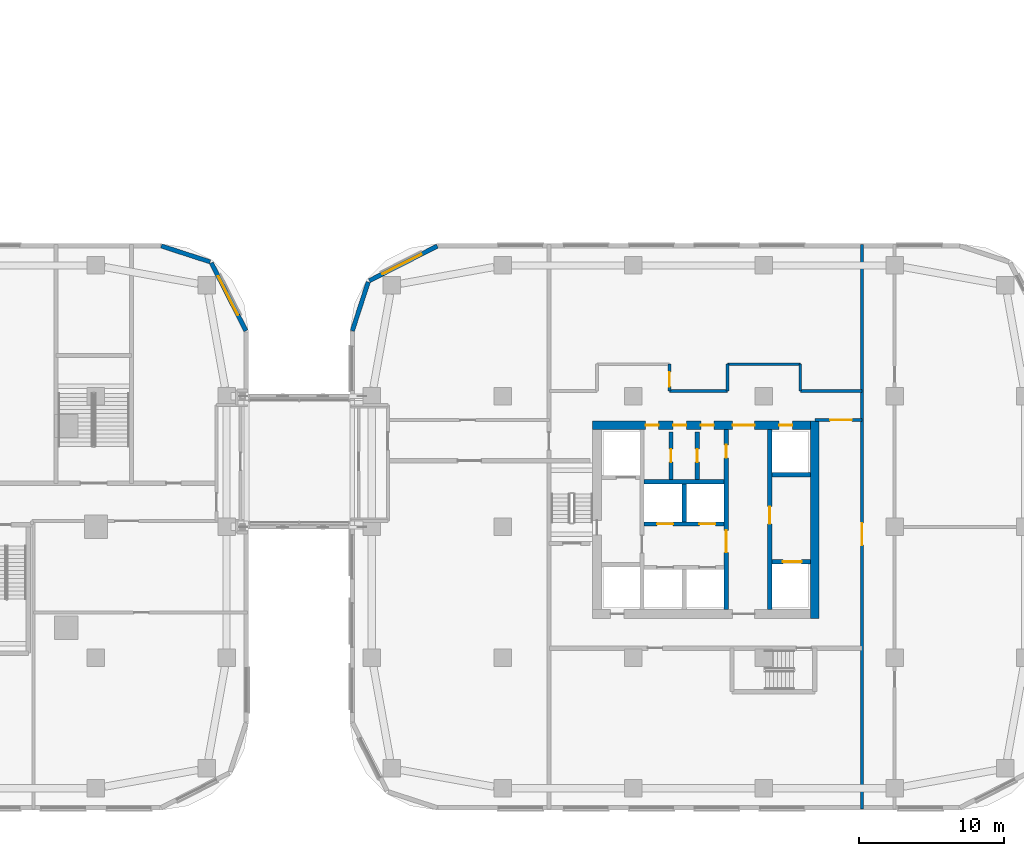
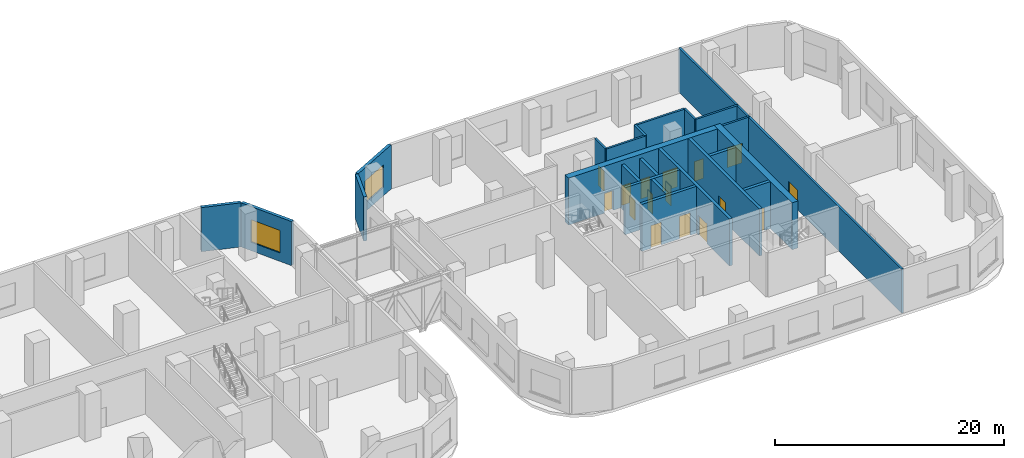
# One storey, part 13 of 35: 23 walls, 16 doors, 2 windows, 18 openings.
"""IFC4 building model written with IfcOpenShell, lengths in metres."""

from ifc_helpers import new_model, si_unit, direction, frame, frame_2d, origin, place, context, subcontext, project, spatial, rectangle, extrude, material, layer, layer_set, type_object, element, fill, save


model = new_model("IFC4")

# Units and contexts
model_context = context("Model", 3, precision=1e-05, world=origin(), true_north=direction((0.0, 1.0)))
body_context = subcontext(model_context, "Body", "Model", "MODEL_VIEW")
ifc_project = project(units=[si_unit("LENGTHUNIT", "METRE"), si_unit("AREAUNIT", "SQUARE_METRE"), si_unit("VOLUMEUNIT", "CUBIC_METRE"), si_unit("PLANEANGLEUNIT", "RADIAN"), si_unit("MASSUNIT", "GRAM", prefix="KILO")], contexts=[model_context])

# Site, building, storey
site_placement = place(None, origin())
site = spatial("IfcSite", under=ifc_project, at=site_placement, CompositionType="ELEMENT")
building_placement = place(site_placement, origin())
building = spatial("IfcBuilding", under=site, at=building_placement, Name="Ogive Portal Towers", CompositionType="ELEMENT")
storey_placement = place(building_placement, frame((0.0, 0.0, 23.5)))
storey = spatial("IfcBuildingStorey", under=building, at=storey_placement, Name="L04", CompositionType="ELEMENT", Elevation=23.5)

# Wall, openings, doors
ifc_material_1 = material(Name="Concrete C60/75", Category="concrete")
ifc_layer_1 = layer(ifc_material_1, 0.300048828125)
ifc_layer_set_1 = layer_set([ifc_layer_1], Name="CORE WALL 300 C60")
wall_type_1 = type_object("IfcWallType", Name="CORE WALL 300 C60", PredefinedType="SHEAR", material=ifc_layer_set_1)
wall_1_placement = place(storey_placement, frame((137.89990234375, 24.800048828125, 0.0), z_axis=(0.0, 0.0, 1.0), x_axis=(0.0, 1.0, 0.0)))
wall_1 = element("IfcWall", 1, at=wall_1_placement, inside=storey, type_object=wall_type_1, Name="Tower B core wall BX2 L04", PredefinedType="SHEAR", context=body_context, shape_type="SweptSolid", body=[
    extrude(rectangle(XDim=12.39990234375, YDim=0.300048828125, at=frame_2d((6.199951171875, 0.0))), origin(), (0.0, 0.0, 1.0), 5.0),
])
opening_1_placement = place(wall_1_placement, frame((3.949951171875, 0.0, 0.0)))
opening_1 = element("IfcOpeningElement", 2, at=opening_1_placement, cuts=wall_1, Name="Opening P04-049", PredefinedType="OPENING", context=body_context, shape_type="SweptSolid", body=[
    extrude(rectangle(XDim=1.5, YDim=2.10009765625, at=frame_2d((0.75, 1.050048828125))), frame((0.0, 0.16015625, 0.0), z_axis=(0.0, -1.0, 0.0), x_axis=(1.0, 0.0, 0.0)), (0.0, 0.0, 1.0), 0.320068359375),
])
opening_2_placement = place(wall_1_placement, frame((10.449951171875, 0.0, 0.0)))
opening_2 = element("IfcOpeningElement", 3, at=opening_2_placement, cuts=wall_1, Name="Opening P04-066", PredefinedType="OPENING", context=body_context, shape_type="SweptSolid", body=[
    extrude(rectangle(XDim=0.89990234375, YDim=2.10009765625, at=frame_2d((0.449951171875, 1.050048828125))), frame((0.0, 0.16015625, 0.0), z_axis=(0.0, -1.0, 0.0), x_axis=(1.0, 0.0, 0.0)), (0.0, 0.0, 1.0), 0.320068359375),
])
ifc_material_2 = material(Name="Steel fire door", Category="steel")
door_type_1 = type_object("IfcDoorType", Name="DT-SWING-1500x2100-FD90S", OperationType="SINGLE_SWING_LEFT", PredefinedType="DOOR", material=ifc_material_2)
door_1_placement = place(opening_1_placement, origin())
door_1 = element("IfcDoor", 4, at=door_1_placement, inside=storey, type_object=door_type_1, Name="Door P04-049", OperationType="SINGLE_SWING_RIGHT", OverallHeight=2.10009765625, OverallWidth=1.5, PredefinedType="DOOR", context=body_context, shape_type="SweptSolid", body=[
    extrude(rectangle(XDim=1.5, YDim=2.10009765625, at=frame_2d((0.75, 1.050048828125))), frame((0.0, 0.02490234375, 0.0), z_axis=(0.0, -1.0, 0.0), x_axis=(1.0, 0.0, 0.0)), (0.0, 0.0, 1.0), 0.050048828125),
])
fill(opening_1, door_1)
door_type_2 = type_object("IfcDoorType", Name="DT-SWING-900x2100-FD90S", OperationType="SINGLE_SWING_LEFT", PredefinedType="DOOR", material=ifc_material_2)
door_2_placement = place(opening_2_placement, origin())
door_2 = element("IfcDoor", 5, at=door_2_placement, inside=storey, type_object=door_type_2, Name="Door P04-066", OperationType="SINGLE_SWING_RIGHT", OverallHeight=2.10009765625, OverallWidth=0.89990234375, PredefinedType="DOOR", context=body_context, shape_type="SweptSolid", body=[
    extrude(rectangle(XDim=0.89990234375, YDim=2.10009765625, at=frame_2d((0.449951171875, 1.050048828125))), frame((0.0, 0.02490234375, 0.0), z_axis=(0.0, -1.0, 0.0), x_axis=(1.0, 0.0, 0.0)), (0.0, 0.0, 1.0), 0.050048828125),
])
fill(opening_2, door_2)

# Wall, opening, door
wall_2_placement = place(storey_placement, frame((140.89990234375, 24.800048828125, 0.0), z_axis=(0.0, 0.0, 1.0), x_axis=(0.0, 1.0, 0.0)))
wall_2 = element("IfcWall", 6, at=wall_2_placement, inside=storey, type_object=wall_type_1, Name="Tower B core wall BX3 L04", PredefinedType="SHEAR", context=body_context, shape_type="SweptSolid", body=[
    extrude(rectangle(XDim=12.39990234375, YDim=0.300048828125, at=frame_2d((6.199951171875, 0.0))), origin(), (0.0, 0.0, 1.0), 5.0),
])
opening_3_placement = place(wall_2_placement, frame((5.89990234375, 0.0, 0.0)))
opening_3 = element("IfcOpeningElement", 7, at=opening_3_placement, cuts=wall_2, Name="Opening P04-051", PredefinedType="OPENING", context=body_context, shape_type="SweptSolid", body=[
    extrude(rectangle(XDim=1.199951171875, YDim=2.10009765625, at=frame_2d((0.60009765625, 1.050048828125))), frame((0.0, 0.16015625, 0.0), z_axis=(0.0, -1.0, 0.0), x_axis=(1.0, 0.0, 0.0)), (0.0, 0.0, 1.0), 0.320068359375),
])
door_type_3 = type_object("IfcDoorType", Name="DT-SWING-1200x2100-FD90S", OperationType="SINGLE_SWING_LEFT", PredefinedType="DOOR", material=ifc_material_2)
door_3_placement = place(opening_3_placement, origin())
door_3 = element("IfcDoor", 8, at=door_3_placement, inside=storey, type_object=door_type_3, Name="Door P04-051", OperationType="SINGLE_SWING_RIGHT", OverallHeight=2.10009765625, OverallWidth=1.199951171875, PredefinedType="DOOR", context=body_context, shape_type="SweptSolid", body=[
    extrude(rectangle(XDim=1.199951171875, YDim=2.10009765625, at=frame_2d((0.60009765625, 1.050048828125))), frame((0.0, 0.02490234375, 0.0), z_axis=(0.0, -1.0, 0.0), x_axis=(1.0, 0.0, 0.0)), (0.0, 0.0, 1.0), 0.050048828125),
])
fill(opening_3, door_3)

# Wall
wall_3_placement = place(storey_placement, frame((135.0, 30.85009765625, 0.0), z_axis=(0.0, 0.0, 1.0), x_axis=(0.0, 1.0, 0.0)))
element("IfcWall", 9, at=wall_3_placement, inside=storey, type_object=wall_type_1, Name="Tower B core wall BX5 L04", PredefinedType="SHEAR", context=body_context, shape_type="SweptSolid", body=[
    extrude(rectangle(XDim=2.599853515625, YDim=0.300048828125, at=frame_2d((1.2998046875, 0.0))), origin(), (0.0, 0.0, 1.0), 5.0),
])

# Wall, openings, doors
wall_4_placement = place(storey_placement, frame((132.25, 30.699951171875, 0.0), z_axis=(0.0, 0.0, 1.0), x_axis=(1.0, 0.0, 0.0)))
wall_4 = element("IfcWall", 10, at=wall_4_placement, inside=storey, type_object=wall_type_1, Name="Tower B core wall BY2 L04", PredefinedType="SHEAR", context=body_context, shape_type="SweptSolid", body=[
    extrude(rectangle(XDim=5.5, YDim=0.300048828125, at=frame_2d((2.75, 0.0))), origin(), (0.0, 0.0, 1.0), 5.0),
])
opening_4_placement = place(wall_4_placement, frame((0.89990234375, 0.0, 0.0)))
opening_4 = element("IfcOpeningElement", 11, at=opening_4_placement, cuts=wall_4, Name="Opening P04-059", PredefinedType="OPENING", context=body_context, shape_type="SweptSolid", body=[
    extrude(rectangle(XDim=1.10009765625, YDim=2.39990234375, at=frame_2d((0.550048828125, 1.199951171875))), frame((0.0, 0.16015625, 0.0), z_axis=(0.0, -1.0, 0.0), x_axis=(1.0, 0.0, 0.0)), (0.0, 0.0, 1.0), 0.320068359375),
])
opening_5_placement = place(wall_4_placement, frame((3.800048828125, 0.0, 0.0)))
opening_5 = element("IfcOpeningElement", 12, at=opening_5_placement, cuts=wall_4, Name="Opening P04-060", PredefinedType="OPENING", context=body_context, shape_type="SweptSolid", body=[
    extrude(rectangle(XDim=1.10009765625, YDim=2.39990234375, at=frame_2d((0.550048828125, 1.199951171875))), frame((0.0, 0.16015625, 0.0), z_axis=(0.0, -1.0, 0.0), x_axis=(1.0, 0.0, 0.0)), (0.0, 0.0, 1.0), 0.320068359375),
])
ifc_material_3 = material(Name="Stainless steel", Category="steel")
door_type_4 = type_object("IfcDoorType", Name="DT-LD-1100x2400", OperationType="SLIDING_TO_LEFT", PredefinedType="DOOR", material=ifc_material_3)
door_4_placement = place(opening_4_placement, origin())
door_4 = element("IfcDoor", 13, at=door_4_placement, inside=storey, type_object=door_type_4, Name="Door P04-059", OperationType="SLIDING_TO_LEFT", OverallHeight=2.39990234375, OverallWidth=1.10009765625, PredefinedType="DOOR", context=body_context, shape_type="SweptSolid", body=[
    extrude(rectangle(XDim=1.10009765625, YDim=2.39990234375, at=frame_2d((0.550048828125, 1.199951171875))), frame((0.0, 0.02490234375, 0.0), z_axis=(0.0, -1.0, 0.0), x_axis=(1.0, 0.0, 0.0)), (0.0, 0.0, 1.0), 0.050048828125),
])
fill(opening_4, door_4)
door_5_placement = place(opening_5_placement, origin())
door_5 = element("IfcDoor", 14, at=door_5_placement, inside=storey, type_object=door_type_4, Name="Door P04-060", OperationType="SLIDING_TO_LEFT", OverallHeight=2.39990234375, OverallWidth=1.10009765625, PredefinedType="DOOR", context=body_context, shape_type="SweptSolid", body=[
    extrude(rectangle(XDim=1.10009765625, YDim=2.39990234375, at=frame_2d((0.550048828125, 1.199951171875))), frame((0.0, 0.02490234375, 0.0), z_axis=(0.0, -1.0, 0.0), x_axis=(1.0, 0.0, 0.0)), (0.0, 0.0, 1.0), 0.050048828125),
])
fill(opening_5, door_5)

# Wall
wall_5_placement = place(storey_placement, frame((132.25, 33.60009765625, 0.0), z_axis=(0.0, 0.0, 1.0), x_axis=(1.0, 0.0, 0.0)))
element("IfcWall", 15, at=wall_5_placement, inside=storey, type_object=wall_type_1, Name="Tower B core wall BY3 L04", PredefinedType="SHEAR", context=body_context, shape_type="SweptSolid", body=[
    extrude(rectangle(XDim=5.5, YDim=0.300048828125, at=frame_2d((2.75, 0.0))), origin(), (0.0, 0.0, 1.0), 5.0),
])

# Wall, opening, door
wall_6_placement = place(storey_placement, frame((141.050048828125, 28.10009765625, 0.0), z_axis=(0.0, 0.0, 1.0), x_axis=(1.0, 0.0, 0.0)))
wall_6 = element("IfcWall", 16, at=wall_6_placement, inside=storey, type_object=wall_type_1, Name="Tower B core wall BY6 L04", PredefinedType="SHEAR", context=body_context, shape_type="SweptSolid", body=[
    extrude(rectangle(XDim=2.64990234375, YDim=0.300048828125, at=frame_2d((1.324951171875, 0.0))), origin(), (0.0, 0.0, 1.0), 5.0),
])
opening_6_placement = place(wall_6_placement, frame((0.75, 0.0, 0.0)))
opening_6 = element("IfcOpeningElement", 17, at=opening_6_placement, cuts=wall_6, Name="Opening P04-062", PredefinedType="OPENING", context=body_context, shape_type="SweptSolid", body=[
    extrude(rectangle(XDim=1.300048828125, YDim=2.39990234375, at=frame_2d((0.64990234375, 1.199951171875))), frame((0.0, 0.16015625, 0.0), z_axis=(0.0, -1.0, 0.0), x_axis=(1.0, 0.0, 0.0)), (0.0, 0.0, 1.0), 0.320068359375),
])
door_type_5 = type_object("IfcDoorType", Name="DT-LD-1300x2400", OperationType="SLIDING_TO_LEFT", PredefinedType="DOOR", material=ifc_material_3)
door_6_placement = place(opening_6_placement, origin())
door_6 = element("IfcDoor", 18, at=door_6_placement, inside=storey, type_object=door_type_5, Name="Door P04-062", OperationType="SLIDING_TO_LEFT", OverallHeight=2.39990234375, OverallWidth=1.300048828125, PredefinedType="DOOR", context=body_context, shape_type="SweptSolid", body=[
    extrude(rectangle(XDim=1.300048828125, YDim=2.39990234375, at=frame_2d((0.64990234375, 1.199951171875))), frame((0.0, 0.02490234375, 0.0), z_axis=(0.0, -1.0, 0.0), x_axis=(1.0, 0.0, 0.0)), (0.0, 0.0, 1.0), 0.050048828125),
])
fill(opening_6, door_6)

# Walls
wall_7_placement = place(storey_placement, frame((141.050048828125, 34.10009765625, 0.0), z_axis=(0.0, 0.0, 1.0), x_axis=(1.0, 0.0, 0.0)))
element("IfcWall", 19, at=wall_7_placement, inside=storey, type_object=wall_type_1, Name="Tower B core wall BY7 L04", PredefinedType="SHEAR", context=body_context, shape_type="SweptSolid", body=[
    extrude(rectangle(XDim=2.64990234375, YDim=0.300048828125, at=frame_2d((1.324951171875, 0.0))), origin(), (0.0, 0.0, 1.0), 5.0),
])
ifc_layer_2 = layer(ifc_material_1, 0.60009765625)
ifc_layer_set_2 = layer_set([ifc_layer_2], Name="CORE WALL 600 C60")
wall_type_2 = type_object("IfcWallType", Name="CORE WALL 600 C60", PredefinedType="SHEAR", material=ifc_layer_set_2)
wall_8_placement = place(storey_placement, frame((144.0, 24.199951171875, 0.0), z_axis=(0.0, 0.0, 1.0), x_axis=(0.0, 1.0, 0.0)))
element("IfcWall", 20, at=wall_8_placement, inside=storey, type_object=wall_type_2, Name="Tower B core wall BE L04", PredefinedType="SHEAR", context=body_context, shape_type="SweptSolid", body=[
    extrude(rectangle(XDim=13.60009765625, YDim=0.60009765625, at=frame_2d((6.800048828125, 0.0))), origin(), (0.0, 0.0, 1.0), 5.0),
])

# Wall, openings, doors
wall_9_placement = place(storey_placement, frame((128.699951171875, 37.5, 0.0), z_axis=(0.0, 0.0, 1.0), x_axis=(1.0, 0.0, 0.0)))
wall_9 = element("IfcWall", 21, at=wall_9_placement, inside=storey, type_object=wall_type_2, Name="Tower B core wall BN L04", PredefinedType="SHEAR", context=body_context, shape_type="SweptSolid", body=[
    extrude(rectangle(XDim=15.0, YDim=0.60009765625, at=frame_2d((7.5, 0.0))), origin(), (0.0, 0.0, 1.0), 5.0),
])
opening_7_placement = place(wall_9_placement, frame((9.64990234375, 0.0, 0.0)))
opening_7 = element("IfcOpeningElement", 22, at=opening_7_placement, cuts=wall_9, Name="Opening P04-054", PredefinedType="OPENING", context=body_context, shape_type="SweptSolid", body=[
    extrude(rectangle(XDim=1.5, YDim=2.10009765625, at=frame_2d((0.75, 1.050048828125))), frame((0.0, 0.31005859375, 0.0), z_axis=(0.0, -1.0, 0.0), x_axis=(1.0, 0.0, 0.0)), (0.0, 0.0, 1.0), 0.6201171875),
])
opening_8_placement = place(wall_9_placement, frame((12.85009765625, 0.0, 0.0)))
opening_8 = element("IfcOpeningElement", 23, at=opening_8_placement, cuts=wall_9, Name="Opening P04-056", PredefinedType="OPENING", context=body_context, shape_type="SweptSolid", body=[
    extrude(rectangle(XDim=0.89990234375, YDim=2.10009765625, at=frame_2d((0.449951171875, 1.050048828125))), frame((0.0, 0.31005859375, 0.0), z_axis=(0.0, -1.0, 0.0), x_axis=(1.0, 0.0, 0.0)), (0.0, 0.0, 1.0), 0.6201171875),
])
opening_9_placement = place(wall_9_placement, frame((3.64990234375, 0.0, 0.0)))
opening_9 = element("IfcOpeningElement", 24, at=opening_9_placement, cuts=wall_9, Name="Opening P04-063", PredefinedType="OPENING", context=body_context, shape_type="SweptSolid", body=[
    extrude(rectangle(XDim=0.89990234375, YDim=2.10009765625, at=frame_2d((0.449951171875, 1.050048828125))), frame((0.0, 0.31005859375, 0.0), z_axis=(0.0, -1.0, 0.0), x_axis=(1.0, 0.0, 0.0)), (0.0, 0.0, 1.0), 0.6201171875),
])
opening_10_placement = place(wall_9_placement, frame((5.550048828125, 0.0, 0.0)))
opening_10 = element("IfcOpeningElement", 25, at=opening_10_placement, cuts=wall_9, Name="Opening P04-064", PredefinedType="OPENING", context=body_context, shape_type="SweptSolid", body=[
    extrude(rectangle(XDim=0.89990234375, YDim=2.10009765625, at=frame_2d((0.449951171875, 1.050048828125))), frame((0.0, 0.31005859375, 0.0), z_axis=(0.0, -1.0, 0.0), x_axis=(1.0, 0.0, 0.0)), (0.0, 0.0, 1.0), 0.6201171875),
])
opening_11_placement = place(wall_9_placement, frame((7.449951171875, 0.0, 0.0)))
opening_11 = element("IfcOpeningElement", 26, at=opening_11_placement, cuts=wall_9, Name="Opening P04-065", PredefinedType="OPENING", context=body_context, shape_type="SweptSolid", body=[
    extrude(rectangle(XDim=0.89990234375, YDim=2.10009765625, at=frame_2d((0.449951171875, 1.050048828125))), frame((0.0, 0.31005859375, 0.0), z_axis=(0.0, -1.0, 0.0), x_axis=(1.0, 0.0, 0.0)), (0.0, 0.0, 1.0), 0.6201171875),
])
door_7_placement = place(opening_7_placement, origin())
door_7 = element("IfcDoor", 27, at=door_7_placement, inside=storey, type_object=door_type_1, Name="Door P04-054", OperationType="SINGLE_SWING_RIGHT", OverallHeight=2.10009765625, OverallWidth=1.5, PredefinedType="DOOR", context=body_context, shape_type="SweptSolid", body=[
    extrude(rectangle(XDim=1.5, YDim=2.10009765625, at=frame_2d((0.75, 1.050048828125))), frame((0.0, 0.02490234375, 0.0), z_axis=(0.0, -1.0, 0.0), x_axis=(1.0, 0.0, 0.0)), (0.0, 0.0, 1.0), 0.050048828125),
])
fill(opening_7, door_7)
door_8_placement = place(opening_8_placement, origin())
door_8 = element("IfcDoor", 28, at=door_8_placement, inside=storey, type_object=door_type_2, Name="Riser access door P04-056", OperationType="SINGLE_SWING_RIGHT", OverallHeight=2.10009765625, OverallWidth=0.89990234375, PredefinedType="DOOR", context=body_context, shape_type="SweptSolid", body=[
    extrude(rectangle(XDim=0.89990234375, YDim=2.10009765625, at=frame_2d((0.449951171875, 1.050048828125))), frame((0.0, 0.02490234375, 0.0), z_axis=(0.0, -1.0, 0.0), x_axis=(1.0, 0.0, 0.0)), (0.0, 0.0, 1.0), 0.050048828125),
])
fill(opening_8, door_8)
door_9_placement = place(opening_9_placement, origin())
door_9 = element("IfcDoor", 29, at=door_9_placement, inside=storey, type_object=door_type_2, Name="Door P04-063", OperationType="SINGLE_SWING_LEFT", OverallHeight=2.10009765625, OverallWidth=0.89990234375, PredefinedType="DOOR", context=body_context, shape_type="SweptSolid", body=[
    extrude(rectangle(XDim=0.89990234375, YDim=2.10009765625, at=frame_2d((0.449951171875, 1.050048828125))), frame((0.0, 0.02490234375, 0.0), z_axis=(0.0, -1.0, 0.0), x_axis=(1.0, 0.0, 0.0)), (0.0, 0.0, 1.0), 0.050048828125),
])
fill(opening_9, door_9)
door_10_placement = place(opening_10_placement, origin())
door_10 = element("IfcDoor", 30, at=door_10_placement, inside=storey, type_object=door_type_2, Name="Door P04-064", OperationType="SINGLE_SWING_RIGHT", OverallHeight=2.10009765625, OverallWidth=0.89990234375, PredefinedType="DOOR", context=body_context, shape_type="SweptSolid", body=[
    extrude(rectangle(XDim=0.89990234375, YDim=2.10009765625, at=frame_2d((0.449951171875, 1.050048828125))), frame((0.0, 0.02490234375, 0.0), z_axis=(0.0, -1.0, 0.0), x_axis=(1.0, 0.0, 0.0)), (0.0, 0.0, 1.0), 0.050048828125),
])
fill(opening_10, door_10)
door_11_placement = place(opening_11_placement, origin())
door_11 = element("IfcDoor", 31, at=door_11_placement, inside=storey, type_object=door_type_2, Name="Door P04-065", OperationType="SINGLE_SWING_LEFT", OverallHeight=2.10009765625, OverallWidth=0.89990234375, PredefinedType="DOOR", context=body_context, shape_type="SweptSolid", body=[
    extrude(rectangle(XDim=0.89990234375, YDim=2.10009765625, at=frame_2d((0.449951171875, 1.050048828125))), frame((0.0, 0.02490234375, 0.0), z_axis=(0.0, -1.0, 0.0), x_axis=(1.0, 0.0, 0.0)), (0.0, 0.0, 1.0), 0.050048828125),
])
fill(opening_11, door_11)

# Wall, opening, window
ifc_material_4 = material(Name="Limestone cladding on lightweight block wall", Category="masonry")
ifc_layer_3 = layer(ifc_material_4, 0.300048828125)
ifc_layer_set_3 = layer_set([ifc_layer_3], Name="EXTERNAL WALL 300 STONE")
wall_type_3 = type_object("IfcWallType", Name="EXTERNAL WALL 300 STONE", PredefinedType="SOLIDWALL", material=ifc_layer_set_3)
wall_10_placement = place(storey_placement, frame((104.833740234375, 43.99609375, 0.0), z_axis=(0.0, 0.0, 1.0), x_axis=(-0.454006562826, 0.890998339455, 0.0)))
wall_10 = element("IfcWall", 32, at=wall_10_placement, inside=storey, type_object=wall_type_3, Name="A:L04:f06:w0", PredefinedType="SOLIDWALL", context=body_context, shape_type="SweptSolid", body=[
    extrude(rectangle(XDim=5.251708984375, YDim=0.300048828125, at=frame_2d((2.6259765625, 0.0))), origin(), (0.0, 0.0, 1.0), 4.699951171875),
])
opening_12_placement = place(wall_10_placement, frame((1.223876953125, 0.0, 0.89990234375)))
opening_12 = element("IfcOpeningElement", 33, at=opening_12_placement, cuts=wall_10, Name="Opening WN3", PredefinedType="OPENING", context=body_context, shape_type="SweptSolid", body=[
    extrude(rectangle(XDim=3.0, YDim=2.39990234375, at=frame_2d((1.5, 1.199951171875))), frame((0.0, 0.16015625, 0.0), z_axis=(0.0, -1.0, 0.0), x_axis=(1.0, 0.0, 0.0)), (0.0, 0.0, 1.0), 0.320068359375),
])
ifc_material_5 = material(Name="Glass, clear low-iron insulated glazing", Category="glass")
window_type = type_object("IfcWindowType", Name="WINDOW PODIUM 3000x2400", PartitioningType="SINGLE_PANEL", PredefinedType="WINDOW", material=ifc_material_5)
window_1_placement = place(opening_12_placement, origin())
window_1 = element("IfcWindow", 34, at=window_1_placement, inside=storey, type_object=window_type, Name="A:L04:f06:w0:o0", OverallHeight=2.39990234375, OverallWidth=3.0, PartitioningType="SINGLE_PANEL", PredefinedType="WINDOW", context=body_context, shape_type="SweptSolid", body=[
    extrude(rectangle(XDim=3.0, YDim=2.39990234375, at=frame_2d((1.5, 1.199951171875))), frame((0.0, 0.030029296875, 0.0), z_axis=(0.0, -1.0, 0.0), x_axis=(1.0, 0.0, 0.0)), (0.0, 0.0, 1.0), 0.06005859375),
])
fill(opening_12, window_1)

# Wall
wall_11_placement = place(storey_placement, frame((102.362060546875, 48.749755859375, 0.0), z_axis=(0.0, 0.0, 1.0), x_axis=(-0.951038127287, 0.309073584194, 0.0)))
element("IfcWall", 35, at=wall_11_placement, inside=storey, type_object=wall_type_3, Name="A:L04:f07:w0", PredefinedType="SOLIDWALL", context=body_context, shape_type="SweptSolid", body=[
    extrude(rectangle(XDim=3.536376953125, YDim=0.300048828125, at=frame_2d((1.76806640625, 0.0))), origin(), (0.0, 0.0, 1.0), 4.699951171875),
])

# Wall, opening, window
wall_12_placement = place(storey_placement, frame((118.00390625, 49.833740234375, 0.0), z_axis=(0.0, 0.0, 1.0), x_axis=(-0.890998339455, -0.454006562826, 0.0)))
wall_12 = element("IfcWall", 36, at=wall_12_placement, inside=storey, type_object=wall_type_3, Name="B:L04:f09:w0", PredefinedType="SOLIDWALL", context=body_context, shape_type="SweptSolid", body=[
    extrude(rectangle(XDim=5.251708984375, YDim=0.300048828125, at=frame_2d((2.6259765625, 0.0))), origin(), (0.0, 0.0, 1.0), 4.699951171875),
])
opening_13_placement = place(wall_12_placement, frame((1.223876953125, 0.0, 0.89990234375)))
opening_13 = element("IfcOpeningElement", 37, at=opening_13_placement, cuts=wall_12, Name="Opening WN3", PredefinedType="OPENING", context=body_context, shape_type="SweptSolid", body=[
    extrude(rectangle(XDim=3.0, YDim=2.39990234375, at=frame_2d((1.5, 1.199951171875))), frame((0.0, 0.16015625, 0.0), z_axis=(0.0, -1.0, 0.0), x_axis=(1.0, 0.0, 0.0)), (0.0, 0.0, 1.0), 0.320068359375),
])
window_2_placement = place(opening_13_placement, origin())
window_2 = element("IfcWindow", 38, at=window_2_placement, inside=storey, type_object=window_type, Name="B:L04:f09:w0:o0", OverallHeight=2.39990234375, OverallWidth=3.0, PartitioningType="SINGLE_PANEL", PredefinedType="WINDOW", context=body_context, shape_type="SweptSolid", body=[
    extrude(rectangle(XDim=3.0, YDim=2.39990234375, at=frame_2d((1.5, 1.199951171875))), frame((0.0, 0.030029296875, 0.0), z_axis=(0.0, -1.0, 0.0), x_axis=(1.0, 0.0, 0.0)), (0.0, 0.0, 1.0), 0.06005859375),
])
fill(opening_13, window_2)

# Wall
wall_13_placement = place(storey_placement, frame((113.250244140625, 47.362060546875, 0.0), z_axis=(0.0, 0.0, 1.0), x_axis=(-0.309073584194, -0.951038127287, 0.0)))
element("IfcWall", 39, at=wall_13_placement, inside=storey, type_object=wall_type_3, Name="B:L04:f10:w0", PredefinedType="SOLIDWALL", context=body_context, shape_type="SweptSolid", body=[
    extrude(rectangle(XDim=3.536376953125, YDim=0.300048828125, at=frame_2d((1.76806640625, 0.0))), origin(), (0.0, 0.0, 1.0), 4.699951171875),
])

# Wall, opening, door
ifc_material_6 = material(Name="Gypsum board partition on steel studs", Category="steel")
ifc_layer_4 = layer(ifc_material_6, 0.199951171875)
ifc_layer_set_4 = layer_set([ifc_layer_4], Name="WT-PART-200-EI 60")
wall_type_4 = type_object("IfcWallType", Name="WT-PART-200-EI 60", PredefinedType="PARTITIONING", material=ifc_layer_set_4)
wall_14_placement = place(storey_placement, frame((144.02001953125, 37.85009765625, 0.0), z_axis=(0.0, 0.0, 1.0), x_axis=(1.0, 0.0, 0.0)))
wall_14 = element("IfcWall", 40, at=wall_14_placement, inside=storey, type_object=wall_type_4, Name="Wall L04:w025", PredefinedType="PARTITIONING", context=body_context, shape_type="SweptSolid", body=[
    extrude(rectangle(XDim=3.22998046875, YDim=0.199951171875, at=frame_2d((1.614990234375, 0.0))), origin(), (0.0, 0.0, 1.0), 4.699951171875),
])
opening_14_placement = place(wall_14_placement, frame((1.030029296875, 0.0, 0.0)))
opening_14 = element("IfcOpeningElement", 41, at=opening_14_placement, cuts=wall_14, Name="Opening P04-033", PredefinedType="OPENING", context=body_context, shape_type="SweptSolid", body=[
    extrude(rectangle(XDim=1.5, YDim=2.10009765625, at=frame_2d((0.75, 1.050048828125))), frame((0.0, 0.10986328125, 0.0), z_axis=(0.0, -1.0, 0.0), x_axis=(1.0, 0.0, 0.0)), (0.0, 0.0, 1.0), 0.219970703125),
])
door_type_6 = type_object("IfcDoorType", Name="DT-SWING-1500x2100-FD60S", OperationType="SINGLE_SWING_LEFT", PredefinedType="DOOR", material=ifc_material_2)
door_12_placement = place(opening_14_placement, origin())
door_12 = element("IfcDoor", 42, at=door_12_placement, inside=storey, type_object=door_type_6, Name="Door P04-033", OperationType="SINGLE_SWING_LEFT", OverallHeight=2.10009765625, OverallWidth=1.5, PredefinedType="DOOR", context=body_context, shape_type="SweptSolid", body=[
    extrude(rectangle(XDim=1.5, YDim=2.10009765625, at=frame_2d((0.75, 1.050048828125))), frame((0.0, 0.02490234375, 0.0), z_axis=(0.0, -1.0, 0.0), x_axis=(1.0, 0.0, 0.0)), (0.0, 0.0, 1.0), 0.050048828125),
])
fill(opening_14, door_12)

# Walls
wall_15_placement = place(storey_placement, frame((134.0, 39.85009765625, 0.0), z_axis=(0.0, 0.0, 1.0), x_axis=(1.0, 0.0, 0.0)))
element("IfcWall", 43, at=wall_15_placement, inside=storey, type_object=wall_type_4, Name="Wall L04:w033", PredefinedType="PARTITIONING", context=body_context, shape_type="SweptSolid", body=[
    extrude(rectangle(XDim=4.0, YDim=0.199951171875, at=frame_2d((2.0, 0.0))), origin(), (0.0, 0.0, 1.0), 4.699951171875),
])
wall_16_placement = place(storey_placement, frame((143.0, 39.85009765625, 0.0), z_axis=(0.0, 0.0, 1.0), x_axis=(1.0, 0.0, 0.0)))
element("IfcWall", 44, at=wall_16_placement, inside=storey, type_object=wall_type_4, Name="Wall L04:w034", PredefinedType="PARTITIONING", context=body_context, shape_type="SweptSolid", body=[
    extrude(rectangle(XDim=4.25, YDim=0.199951171875, at=frame_2d((2.125, 0.0))), origin(), (0.0, 0.0, 1.0), 4.699951171875),
])
wall_17_placement = place(storey_placement, frame((138.0, 41.699951171875, 0.0), z_axis=(0.0, 0.0, 1.0), x_axis=(1.0, 0.0, 0.0)))
element("IfcWall", 45, at=wall_17_placement, inside=storey, type_object=wall_type_4, Name="Wall L04:w037", PredefinedType="PARTITIONING", context=body_context, shape_type="SweptSolid", body=[
    extrude(rectangle(XDim=5.0, YDim=0.199951171875, at=frame_2d((2.5, 0.0))), origin(), (0.0, 0.0, 1.0), 4.699951171875),
])

# Wall, opening, door
wall_18_placement = place(storey_placement, frame((134.0, 39.85009765625, 0.0), z_axis=(0.0, 0.0, 1.0), x_axis=(0.0, 1.0, 0.0)))
wall_18 = element("IfcWall", 46, at=wall_18_placement, inside=storey, type_object=wall_type_4, Name="Wall L04:w068", PredefinedType="PARTITIONING", context=body_context, shape_type="SweptSolid", body=[
    extrude(rectangle(XDim=1.849853515625, YDim=0.199951171875, at=frame_2d((0.9248046875, 0.0))), origin(), (0.0, 0.0, 1.0), 4.699951171875),
])
opening_15_placement = place(wall_18_placement, frame((0.300048828125, 0.0, 0.0)))
opening_15 = element("IfcOpeningElement", 47, at=opening_15_placement, cuts=wall_18, Name="Opening P04-046", PredefinedType="OPENING", context=body_context, shape_type="SweptSolid", body=[
    extrude(rectangle(XDim=1.0, YDim=2.10009765625, at=frame_2d((0.5, 1.050048828125))), frame((0.0, 0.10986328125, 0.0), z_axis=(0.0, -1.0, 0.0), x_axis=(1.0, 0.0, 0.0)), (0.0, 0.0, 1.0), 0.219970703125),
])
door_type_7 = type_object("IfcDoorType", Name="DT-SWING-1000x2100-FD60S", OperationType="SINGLE_SWING_LEFT", PredefinedType="DOOR", material=ifc_material_2)
door_13_placement = place(opening_15_placement, origin())
door_13 = element("IfcDoor", 48, at=door_13_placement, inside=storey, type_object=door_type_7, Name="Door P04-046", OperationType="SINGLE_SWING_RIGHT", OverallHeight=2.10009765625, OverallWidth=1.0, PredefinedType="DOOR", context=body_context, shape_type="SweptSolid", body=[
    extrude(rectangle(XDim=1.0, YDim=2.10009765625, at=frame_2d((0.5, 1.050048828125))), frame((0.0, 0.02490234375, 0.0), z_axis=(0.0, -1.0, 0.0), x_axis=(1.0, 0.0, 0.0)), (0.0, 0.0, 1.0), 0.050048828125),
])
fill(opening_15, door_13)

# Walls
for number, where, z_axis, x_axis, name in (
    (49, (138.0, 39.85009765625, 0.0), (0.0, 0.0, 1.0), (0.0, 1.0, 0.0), "Wall L04:w071"),
    (50, (143.0, 39.85009765625, 0.0), (0.0, 0.0, 1.0), (0.0, 1.0, 0.0), "Wall L04:w073"),
):
    element("IfcWall", number, at=place(storey_placement, frame(where, z_axis=z_axis, x_axis=x_axis)), inside=storey, type_object=wall_type_4, Name=name, PredefinedType="PARTITIONING", context=body_context, shape_type="SweptSolid", body=[
        extrude(rectangle(XDim=1.849853515625, YDim=0.199951171875, at=frame_2d((0.9248046875, 0.0))), origin(), (0.0, 0.0, 1.0), 4.699951171875),
    ])

# Wall, opening, door
wall_19_placement = place(storey_placement, frame((147.25, 11.070068359375, 0.0), z_axis=(0.0, 0.0, 1.0), x_axis=(0.0, 1.0, 0.0)))
wall_19 = element("IfcWall", 51, at=wall_19_placement, inside=storey, type_object=wall_type_4, Name="Wall L04:w077", PredefinedType="PARTITIONING", context=body_context, shape_type="SweptSolid", body=[
    extrude(rectangle(XDim=38.85986328125, YDim=0.199951171875, at=frame_2d((19.429931640625, 0.0))), origin(), (0.0, 0.0, 1.0), 4.699951171875),
])
opening_16_placement = place(wall_19_placement, frame((18.179931640625, 0.0, 0.0)))
opening_16 = element("IfcOpeningElement", 52, at=opening_16_placement, cuts=wall_19, Name="Opening P04-040", PredefinedType="OPENING", context=body_context, shape_type="SweptSolid", body=[
    extrude(rectangle(XDim=1.5, YDim=2.10009765625, at=frame_2d((0.75, 1.050048828125))), frame((0.0, 0.10986328125, 0.0), z_axis=(0.0, -1.0, 0.0), x_axis=(1.0, 0.0, 0.0)), (0.0, 0.0, 1.0), 0.219970703125),
])
door_14_placement = place(opening_16_placement, origin())
door_14 = element("IfcDoor", 53, at=door_14_placement, inside=storey, type_object=door_type_6, Name="Door P04-040", OperationType="SINGLE_SWING_RIGHT", OverallHeight=2.10009765625, OverallWidth=1.5, PredefinedType="DOOR", context=body_context, shape_type="SweptSolid", body=[
    extrude(rectangle(XDim=1.5, YDim=2.10009765625, at=frame_2d((0.75, 1.050048828125))), frame((0.0, 0.02490234375, 0.0), z_axis=(0.0, -1.0, 0.0), x_axis=(1.0, 0.0, 0.0)), (0.0, 0.0, 1.0), 0.050048828125),
])
fill(opening_16, door_14)

ifc_layer_5 = layer(ifc_material_6, 0.300048828125)
ifc_layer_set_5 = layer_set([ifc_layer_5], Name="WT-PART-300-EI 60")
wall_type_5 = type_object("IfcWallType", Name="WT-PART-300-EI 60", PredefinedType="PARTITIONING", material=ifc_layer_set_5)
wall_20_placement = place(storey_placement, frame((134.10009765625, 33.77001953125, 0.0), z_axis=(0.0, 0.0, 1.0), x_axis=(0.0, 1.0, 0.0)))
wall_20 = element("IfcWall", 54, at=wall_20_placement, inside=storey, type_object=wall_type_5, Name="Wall L04:w069", PredefinedType="PARTITIONING", context=body_context, shape_type="SweptSolid", body=[
    extrude(rectangle(XDim=3.260009765625, YDim=0.300048828125, at=frame_2d((1.6298828125, 0.0))), origin(), (0.0, 0.0, 1.0), 4.699951171875),
])
opening_17_placement = place(wall_20_placement, frame((1.179931640625, 0.0, 0.0)))
opening_17 = element("IfcOpeningElement", 55, at=opening_17_placement, cuts=wall_20, Name="Opening P04-036", PredefinedType="OPENING", context=body_context, shape_type="SweptSolid", body=[
    extrude(rectangle(XDim=0.89990234375, YDim=2.10009765625, at=frame_2d((0.449951171875, 1.050048828125))), frame((0.0, 0.16015625, 0.0), z_axis=(0.0, -1.0, 0.0), x_axis=(1.0, 0.0, 0.0)), (0.0, 0.0, 1.0), 0.320068359375),
])
door_type_8 = type_object("IfcDoorType", Name="DT-SWING-900x2100-FD60S", OperationType="SINGLE_SWING_LEFT", PredefinedType="DOOR", material=ifc_material_2)
door_15_placement = place(opening_17_placement, origin())
door_15 = element("IfcDoor", 56, at=door_15_placement, inside=storey, type_object=door_type_8, Name="Door P04-036", OperationType="SINGLE_SWING_RIGHT", OverallHeight=2.10009765625, OverallWidth=0.89990234375, PredefinedType="DOOR", context=body_context, shape_type="SweptSolid", body=[
    extrude(rectangle(XDim=0.89990234375, YDim=2.10009765625, at=frame_2d((0.449951171875, 1.050048828125))), frame((0.0, 0.02490234375, 0.0), z_axis=(0.0, -1.0, 0.0), x_axis=(1.0, 0.0, 0.0)), (0.0, 0.0, 1.0), 0.050048828125),
])
fill(opening_17, door_15)

wall_21_placement = place(storey_placement, frame((135.89990234375, 33.77001953125, 0.0), z_axis=(0.0, 0.0, 1.0), x_axis=(0.0, 1.0, 0.0)))
wall_21 = element("IfcWall", 57, at=wall_21_placement, inside=storey, type_object=wall_type_5, Name="Wall L04:w070", PredefinedType="PARTITIONING", context=body_context, shape_type="SweptSolid", body=[
    extrude(rectangle(XDim=3.260009765625, YDim=0.300048828125, at=frame_2d((1.6298828125, 0.0))), origin(), (0.0, 0.0, 1.0), 4.699951171875),
])
opening_18_placement = place(wall_21_placement, frame((1.179931640625, 0.0, 0.0)))
opening_18 = element("IfcOpeningElement", 58, at=opening_18_placement, cuts=wall_21, Name="Opening P04-037", PredefinedType="OPENING", context=body_context, shape_type="SweptSolid", body=[
    extrude(rectangle(XDim=0.89990234375, YDim=2.10009765625, at=frame_2d((0.449951171875, 1.050048828125))), frame((0.0, 0.16015625, 0.0), z_axis=(0.0, -1.0, 0.0), x_axis=(1.0, 0.0, 0.0)), (0.0, 0.0, 1.0), 0.320068359375),
])
door_16_placement = place(opening_18_placement, origin())
door_16 = element("IfcDoor", 59, at=door_16_placement, inside=storey, type_object=door_type_8, Name="Door P04-037", OperationType="SINGLE_SWING_LEFT", OverallHeight=2.10009765625, OverallWidth=0.89990234375, PredefinedType="DOOR", context=body_context, shape_type="SweptSolid", body=[
    extrude(rectangle(XDim=0.89990234375, YDim=2.10009765625, at=frame_2d((0.449951171875, 1.050048828125))), frame((0.0, 0.02490234375, 0.0), z_axis=(0.0, -1.0, 0.0), x_axis=(1.0, 0.0, 0.0)), (0.0, 0.0, 1.0), 0.050048828125),
])
fill(opening_18, door_16)

save(model, "model.ifc")
